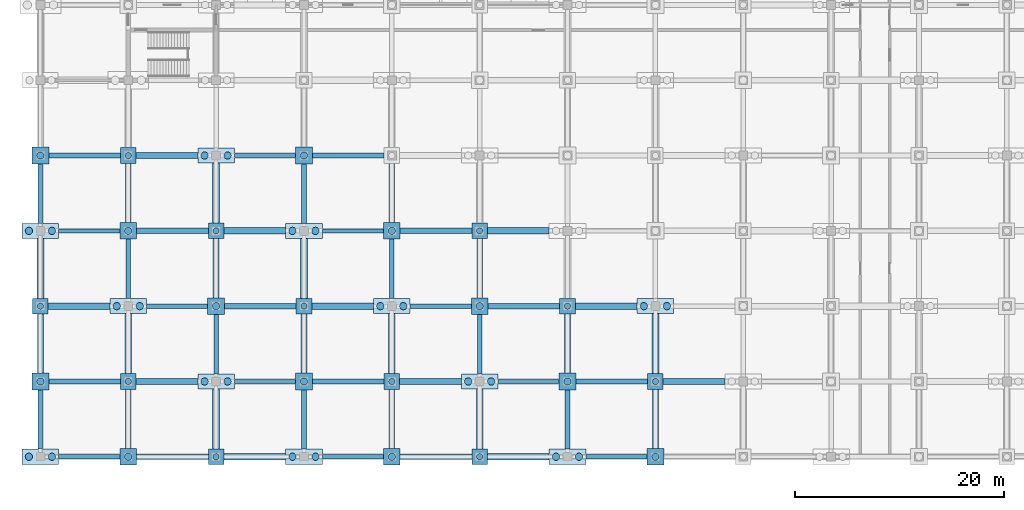
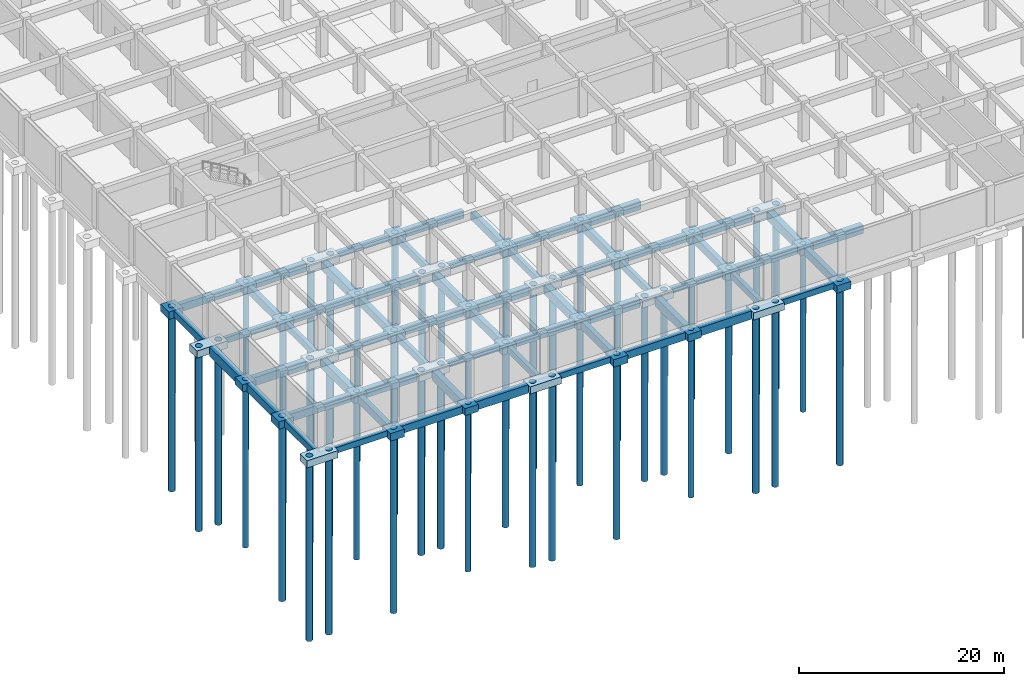
# One storey, part 1 of 85: 93 footings, 45 piles.
"""IFC4 building model written with IfcOpenShell, lengths in metres."""

from ifc_helpers import new_model, si_unit, direction, frame, origin, origin_2d, place, context, subcontext, project, spatial, rectangle, circle, extrude, material, material_profile, profile_set, type_object, element, save


model = new_model("IFC4")

# Units and contexts
model_context = context("Model", 3, precision=1e-05, world=origin(), true_north=direction((0.0, 1.0)))
body_context = subcontext(model_context, "Body", "Model", "MODEL_VIEW")
ifc_project = project(units=[si_unit("LENGTHUNIT", "METRE"), si_unit("AREAUNIT", "SQUARE_METRE"), si_unit("VOLUMEUNIT", "CUBIC_METRE"), si_unit("PLANEANGLEUNIT", "RADIAN"), si_unit("MASSUNIT", "GRAM", prefix="KILO")], contexts=[model_context])

# Site, building, storey
site_placement = place(None, origin())
site = spatial("IfcSite", under=ifc_project, at=site_placement, CompositionType="ELEMENT")
building_placement = place(site_placement, origin())
building = spatial("IfcBuilding", under=site, at=building_placement, Name="Chengyuan Square Courthouse", CompositionType="ELEMENT")
storey_placement = place(building_placement, frame((0.0, 0.0, -10.199951171875)))
storey = spatial("IfcBuildingStorey", under=building, at=storey_placement, Name="B02", CompositionType="ELEMENT", Elevation=-10.199951171875)

# Footings
ifc_material = material(Name="Concrete C40", Category="concrete")
ifc_material_profile_1 = material_profile(ifc_material, rectangle(XDim=0.39990234375, YDim=0.699951171875, at=origin_2d()), Name="GB-400x700")
ifc_profile_set_1 = profile_set([ifc_material_profile_1], Name="Concrete C40")
footing_type_1 = type_object("IfcFootingType", Name="GB-01", PredefinedType="FOOTING_BEAM", material=ifc_profile_set_1)
for number, where, z_axis, x_axis, name in (
    (1, (1.75, 0.0, -1.150146484375), (1.0, 0.0, 0.0), (0.0, 1.0, 0.0), "Ground Tie Beam GB-B02-0001"),
    (2, (26.949951171875, 0.0, -1.150146484375), (1.0, 0.0, 0.0), (0.0, 1.0, 0.0), "Ground Tie Beam GB-B02-0004"),
    (3, (52.14990234375, 0.0, -1.150146484375), (1.0, 0.0, 0.0), (0.0, 1.0, 0.0), "Ground Tie Beam GB-B02-0007"),
):
    element("IfcFooting", number, at=place(storey_placement, frame(where, z_axis=z_axis, x_axis=x_axis)), inside=storey, type_object=footing_type_1, Name=name, PredefinedType="FOOTING_BEAM", context=body_context, shape_type="SweptSolid", body=[
        extrude(rectangle(XDim=0.39990234375, YDim=0.699951171875, at=origin_2d()), origin(), (0.0, 0.0, 1.0), 5.85009765625),
    ])
footing_1_placement = place(storey_placement, frame((18.550048828125, 7.199951171875, -1.150146484375), z_axis=(1.0, 0.0, 0.0), x_axis=(0.0, 1.0, 0.0)))
element("IfcFooting", 4, at=footing_1_placement, inside=storey, type_object=footing_type_1, Name="Ground Tie Beam GB-B02-0023", PredefinedType="FOOTING_BEAM", context=body_context, shape_type="SweptSolid", body=[
    extrude(rectangle(XDim=0.39990234375, YDim=0.699951171875, at=origin_2d()), origin(), (0.0, 0.0, 1.0), 5.849853515625),
])
for number, where, z_axis, x_axis, name in (
    (5, (43.75, 7.199951171875, -1.150146484375), (1.0, 0.0, 0.0), (0.0, 1.0, 0.0), "Ground Tie Beam GB-B02-0026"),
    (6, (10.14990234375, 14.39990234375, -1.150146484375), (1.0, 0.0, 0.0), (0.0, 1.0, 0.0), "Ground Tie Beam GB-B02-0042"),
):
    element("IfcFooting", number, at=place(storey_placement, frame(where, z_axis=z_axis, x_axis=x_axis)), inside=storey, type_object=footing_type_1, Name=name, PredefinedType="FOOTING_BEAM", context=body_context, shape_type="SweptSolid", body=[
        extrude(rectangle(XDim=0.39990234375, YDim=0.699951171875, at=origin_2d()), origin(), (0.0, 0.0, 1.0), 5.85009765625),
    ])
footing_2_placement = place(storey_placement, frame((35.35009765625, 14.39990234375, -1.150146484375), z_axis=(1.0, 0.0, 0.0), x_axis=(0.0, 1.0, 0.0)))
element("IfcFooting", 7, at=footing_2_placement, inside=storey, type_object=footing_type_1, Name="Ground Tie Beam GB-B02-0045", PredefinedType="FOOTING_BEAM", context=body_context, shape_type="SweptSolid", body=[
    extrude(rectangle(XDim=0.39990234375, YDim=0.699951171875, at=origin_2d()), origin(), (0.0, 0.0, 1.0), 5.849853515625),
])
for number, where, z_axis, x_axis, name in (
    (8, (1.75, 21.60009765625, -1.150146484375), (1.0, 0.0, 0.0), (0.0, 1.0, 0.0), "Ground Tie Beam GB-B02-0061"),
    (9, (26.949951171875, 21.60009765625, -1.150146484375), (1.0, 0.0, 0.0), (0.0, 1.0, 0.0), "Ground Tie Beam GB-B02-0064"),
):
    element("IfcFooting", number, at=place(storey_placement, frame(where, z_axis=z_axis, x_axis=x_axis)), inside=storey, type_object=footing_type_1, Name=name, PredefinedType="FOOTING_BEAM", context=body_context, shape_type="SweptSolid", body=[
        extrude(rectangle(XDim=0.39990234375, YDim=0.699951171875, at=origin_2d()), origin(), (0.0, 0.0, 1.0), 5.85009765625),
    ])
footing_3_placement = place(storey_placement, frame((18.550048828125, 28.800048828125, -1.150146484375), z_axis=(1.0, 0.0, 0.0), x_axis=(0.0, 1.0, 0.0)))
element("IfcFooting", 10, at=footing_3_placement, inside=storey, type_object=footing_type_1, Name="Ground Tie Beam GB-B02-0083", PredefinedType="FOOTING_BEAM", context=body_context, shape_type="SweptSolid", body=[
    extrude(rectangle(XDim=0.39990234375, YDim=0.699951171875, at=origin_2d()), origin(), (0.0, 0.0, 1.0), 5.849853515625),
])
ifc_material_profile_2 = material_profile(ifc_material, rectangle(XDim=0.449951171875, YDim=0.800048828125, at=origin_2d()), Name="GB-450x800")
ifc_profile_set_2 = profile_set([ifc_material_profile_2], Name="Concrete C40")
footing_type_2 = type_object("IfcFootingType", Name="GB-02", PredefinedType="FOOTING_BEAM", material=ifc_profile_set_2)
footing_4_placement = place(storey_placement, frame((0.0, 0.72509765625, -1.199951171875), z_axis=(0.0, 1.0, 0.0), x_axis=(-1.0, 0.0, 0.0)))
element("IfcFooting", 11, at=footing_4_placement, inside=storey, type_object=footing_type_2, Name="Ground Tie Beam GB-B02-0347", PredefinedType="FOOTING_BEAM", context=body_context, shape_type="SweptSolid", body=[
    extrude(rectangle(XDim=0.449951171875, YDim=0.800048828125, at=origin_2d()), origin(), (0.0, 0.0, 1.0), 5.6748046875),
])
for number, where, z_axis, x_axis, name in (
    (12, (0.0, 22.324951171875, -1.199951171875), (0.0, 1.0, 0.0), (-1.0, 0.0, 0.0), "Ground Tie Beam GB-B02-0350"),
    (13, (8.39990234375, 15.125, -1.199951171875), (0.0, 1.0, 0.0), (-1.0, 0.0, 0.0), "Ground Tie Beam GB-B02-0365"),
    (14, (16.800048828125, 7.925048828125, -1.199951171875), (0.0, 1.0, 0.0), (-1.0, 0.0, 0.0), "Ground Tie Beam GB-B02-0380"),
):
    element("IfcFooting", number, at=place(storey_placement, frame(where, z_axis=z_axis, x_axis=x_axis)), inside=storey, type_object=footing_type_2, Name=name, PredefinedType="FOOTING_BEAM", context=body_context, shape_type="SweptSolid", body=[
        extrude(rectangle(XDim=0.449951171875, YDim=0.800048828125, at=origin_2d()), origin(), (0.0, 0.0, 1.0), 5.675048828125),
    ])
footing_5_placement = place(storey_placement, frame((25.199951171875, 0.72509765625, -1.199951171875), z_axis=(0.0, 1.0, 0.0), x_axis=(-1.0, 0.0, 0.0)))
element("IfcFooting", 15, at=footing_5_placement, inside=storey, type_object=footing_type_2, Name="Ground Tie Beam GB-B02-0395", PredefinedType="FOOTING_BEAM", context=body_context, shape_type="SweptSolid", body=[
    extrude(rectangle(XDim=0.449951171875, YDim=0.800048828125, at=origin_2d()), origin(), (0.0, 0.0, 1.0), 5.6748046875),
])
for number, where, z_axis, x_axis, name in (
    (16, (25.199951171875, 22.324951171875, -1.199951171875), (0.0, 1.0, 0.0), (-1.0, 0.0, 0.0), "Ground Tie Beam GB-B02-0398"),
    (17, (33.60009765625, 15.125, -1.199951171875), (0.0, 1.0, 0.0), (-1.0, 0.0, 0.0), "Ground Tie Beam GB-B02-0413"),
    (18, (42.0, 7.925048828125, -1.199951171875), (0.0, 1.0, 0.0), (-1.0, 0.0, 0.0), "Ground Tie Beam GB-B02-0428"),
):
    element("IfcFooting", number, at=place(storey_placement, frame(where, z_axis=z_axis, x_axis=x_axis)), inside=storey, type_object=footing_type_2, Name=name, PredefinedType="FOOTING_BEAM", context=body_context, shape_type="SweptSolid", body=[
        extrude(rectangle(XDim=0.449951171875, YDim=0.800048828125, at=origin_2d()), origin(), (0.0, 0.0, 1.0), 5.675048828125),
    ])
footing_6_placement = place(storey_placement, frame((50.39990234375, 0.72509765625, -1.199951171875), z_axis=(0.0, 1.0, 0.0), x_axis=(-1.0, 0.0, 0.0)))
element("IfcFooting", 19, at=footing_6_placement, inside=storey, type_object=footing_type_2, Name="Ground Tie Beam GB-B02-0443", PredefinedType="FOOTING_BEAM", context=body_context, shape_type="SweptSolid", body=[
    extrude(rectangle(XDim=0.449951171875, YDim=0.800048828125, at=origin_2d()), origin(), (0.0, 0.0, 1.0), 5.6748046875),
])
ifc_material_profile_3 = material_profile(ifc_material, rectangle(XDim=0.5, YDim=0.89990234375, at=origin_2d()), Name="GB-500x900")
ifc_profile_set_3 = profile_set([ifc_material_profile_3], Name="Concrete C40")
footing_type_3 = type_object("IfcFootingType", Name="GB-03", PredefinedType="FOOTING_BEAM", material=ifc_profile_set_3)
for number, where, z_axis, x_axis, name in (
    (20, (9.199951171875, 0.0, -1.25), (1.0, 0.0, 0.0), (0.0, 1.0, 0.0), "Ground Tie Beam GB-B02-0002"),
    (21, (34.39990234375, 0.0, -1.25), (1.0, 0.0, 0.0), (0.0, 1.0, 0.0), "Ground Tie Beam GB-B02-0005"),
):
    element("IfcFooting", number, at=place(storey_placement, frame(where, z_axis=z_axis, x_axis=x_axis)), inside=storey, type_object=footing_type_3, Name=name, PredefinedType="FOOTING_BEAM", context=body_context, shape_type="SweptSolid", body=[
        extrude(rectangle(XDim=0.5, YDim=0.89990234375, at=origin_2d()), origin(), (0.0, 0.0, 1.0), 6.85009765625),
    ])
footing_7_placement = place(storey_placement, frame((0.800048828125, 7.199951171875, -1.25), z_axis=(1.0, 0.0, 0.0), x_axis=(0.0, 1.0, 0.0)))
element("IfcFooting", 22, at=footing_7_placement, inside=storey, type_object=footing_type_3, Name="Ground Tie Beam GB-B02-0021", PredefinedType="FOOTING_BEAM", context=body_context, shape_type="SweptSolid", body=[
    extrude(rectangle(XDim=0.5, YDim=0.89990234375, at=origin_2d()), origin(), (0.0, 0.0, 1.0), 6.849853515625),
])
for number, where, z_axis, x_axis, name in (
    (23, (26.0, 7.199951171875, -1.25), (1.0, 0.0, 0.0), (0.0, 1.0, 0.0), "Ground Tie Beam GB-B02-0024"),
    (24, (51.199951171875, 7.199951171875, -1.25), (1.0, 0.0, 0.0), (0.0, 1.0, 0.0), "Ground Tie Beam GB-B02-0027"),
):
    element("IfcFooting", number, at=place(storey_placement, frame(where, z_axis=z_axis, x_axis=x_axis)), inside=storey, type_object=footing_type_3, Name=name, PredefinedType="FOOTING_BEAM", context=body_context, shape_type="SweptSolid", body=[
        extrude(rectangle(XDim=0.5, YDim=0.89990234375, at=origin_2d()), origin(), (0.0, 0.0, 1.0), 6.85009765625),
    ])
for number, where, z_axis, x_axis, name in (
    (25, (17.60009765625, 14.39990234375, -1.25), (1.0, 0.0, 0.0), (0.0, 1.0, 0.0), "Ground Tie Beam GB-B02-0043"),
    (26, (42.800048828125, 14.39990234375, -1.25), (1.0, 0.0, 0.0), (0.0, 1.0, 0.0), "Ground Tie Beam GB-B02-0046"),
):
    element("IfcFooting", number, at=place(storey_placement, frame(where, z_axis=z_axis, x_axis=x_axis)), inside=storey, type_object=footing_type_3, Name=name, PredefinedType="FOOTING_BEAM", context=body_context, shape_type="SweptSolid", body=[
        extrude(rectangle(XDim=0.5, YDim=0.89990234375, at=origin_2d()), origin(), (0.0, 0.0, 1.0), 6.849853515625),
    ])
for number, where, z_axis, x_axis, name in (
    (27, (9.199951171875, 21.60009765625, -1.25), (1.0, 0.0, 0.0), (0.0, 1.0, 0.0), "Ground Tie Beam GB-B02-0062"),
    (28, (34.39990234375, 21.60009765625, -1.25), (1.0, 0.0, 0.0), (0.0, 1.0, 0.0), "Ground Tie Beam GB-B02-0065"),
):
    element("IfcFooting", number, at=place(storey_placement, frame(where, z_axis=z_axis, x_axis=x_axis)), inside=storey, type_object=footing_type_3, Name=name, PredefinedType="FOOTING_BEAM", context=body_context, shape_type="SweptSolid", body=[
        extrude(rectangle(XDim=0.5, YDim=0.89990234375, at=origin_2d()), origin(), (0.0, 0.0, 1.0), 6.85009765625),
    ])
footing_8_placement = place(storey_placement, frame((0.800048828125, 28.800048828125, -1.25), z_axis=(1.0, 0.0, 0.0), x_axis=(0.0, 1.0, 0.0)))
element("IfcFooting", 29, at=footing_8_placement, inside=storey, type_object=footing_type_3, Name="Ground Tie Beam GB-B02-0081", PredefinedType="FOOTING_BEAM", context=body_context, shape_type="SweptSolid", body=[
    extrude(rectangle(XDim=0.5, YDim=0.89990234375, at=origin_2d()), origin(), (0.0, 0.0, 1.0), 6.849853515625),
])
footing_9_placement = place(storey_placement, frame((26.0, 28.800048828125, -1.25), z_axis=(1.0, 0.0, 0.0), x_axis=(0.0, 1.0, 0.0)))
element("IfcFooting", 30, at=footing_9_placement, inside=storey, type_object=footing_type_3, Name="Ground Tie Beam GB-B02-0084", PredefinedType="FOOTING_BEAM", context=body_context, shape_type="SweptSolid", body=[
    extrude(rectangle(XDim=0.5, YDim=0.89990234375, at=origin_2d()), origin(), (0.0, 0.0, 1.0), 6.85009765625),
])
ifc_material_profile_4 = material_profile(ifc_material, rectangle(XDim=0.550048828125, YDim=0.949951171875, at=origin_2d()), Name="GB-550x950")
ifc_profile_set_4 = profile_set([ifc_material_profile_4], Name="Concrete C40")
footing_type_4 = type_object("IfcFootingType", Name="GB-04", PredefinedType="FOOTING_BEAM", material=ifc_profile_set_4)
for number, where, z_axis, x_axis, name in (
    (31, (0.0, 8.0, -1.275146484375), (0.0, 1.0, 0.0), (-1.0, 0.0, 0.0), "Ground Tie Beam GB-B02-0348"),
    (32, (8.39990234375, 0.800048828125, -1.275146484375), (0.0, 1.0, 0.0), (-1.0, 0.0, 0.0), "Ground Tie Beam GB-B02-0363"),
):
    element("IfcFooting", number, at=place(storey_placement, frame(where, z_axis=z_axis, x_axis=x_axis)), inside=storey, type_object=footing_type_4, Name=name, PredefinedType="FOOTING_BEAM", context=body_context, shape_type="SweptSolid", body=[
        extrude(rectangle(XDim=0.550048828125, YDim=0.949951171875, at=origin_2d()), origin(), (0.0, 0.0, 1.0), 5.64990234375),
    ])
for number, where, z_axis, x_axis, name in (
    (33, (8.39990234375, 22.39990234375, -1.275146484375), (0.0, 1.0, 0.0), (-1.0, 0.0, 0.0), "Ground Tie Beam GB-B02-0366"),
    (34, (16.800048828125, 15.199951171875, -1.275146484375), (0.0, 1.0, 0.0), (-1.0, 0.0, 0.0), "Ground Tie Beam GB-B02-0381"),
):
    element("IfcFooting", number, at=place(storey_placement, frame(where, z_axis=z_axis, x_axis=x_axis)), inside=storey, type_object=footing_type_4, Name=name, PredefinedType="FOOTING_BEAM", context=body_context, shape_type="SweptSolid", body=[
        extrude(rectangle(XDim=0.550048828125, YDim=0.949951171875, at=origin_2d()), origin(), (0.0, 0.0, 1.0), 5.650146484375),
    ])
for number, where, z_axis, x_axis, name in (
    (35, (25.199951171875, 8.0, -1.275146484375), (0.0, 1.0, 0.0), (-1.0, 0.0, 0.0), "Ground Tie Beam GB-B02-0396"),
    (36, (33.60009765625, 0.800048828125, -1.275146484375), (0.0, 1.0, 0.0), (-1.0, 0.0, 0.0), "Ground Tie Beam GB-B02-0411"),
):
    element("IfcFooting", number, at=place(storey_placement, frame(where, z_axis=z_axis, x_axis=x_axis)), inside=storey, type_object=footing_type_4, Name=name, PredefinedType="FOOTING_BEAM", context=body_context, shape_type="SweptSolid", body=[
        extrude(rectangle(XDim=0.550048828125, YDim=0.949951171875, at=origin_2d()), origin(), (0.0, 0.0, 1.0), 5.64990234375),
    ])
for number, where, z_axis, x_axis, name in (
    (37, (33.60009765625, 22.39990234375, -1.275146484375), (0.0, 1.0, 0.0), (-1.0, 0.0, 0.0), "Ground Tie Beam GB-B02-0414"),
    (38, (42.0, 15.199951171875, -1.275146484375), (0.0, 1.0, 0.0), (-1.0, 0.0, 0.0), "Ground Tie Beam GB-B02-0429"),
):
    element("IfcFooting", number, at=place(storey_placement, frame(where, z_axis=z_axis, x_axis=x_axis)), inside=storey, type_object=footing_type_4, Name=name, PredefinedType="FOOTING_BEAM", context=body_context, shape_type="SweptSolid", body=[
        extrude(rectangle(XDim=0.550048828125, YDim=0.949951171875, at=origin_2d()), origin(), (0.0, 0.0, 1.0), 5.650146484375),
    ])
for number, where, z_axis, x_axis, name in (
    (39, (50.39990234375, 8.0, -1.275146484375), (0.0, 1.0, 0.0), (-1.0, 0.0, 0.0), "Ground Tie Beam GB-B02-0444"),
    (40, (58.800048828125, 0.800048828125, -1.275146484375), (0.0, 1.0, 0.0), (-1.0, 0.0, 0.0), "Ground Tie Beam GB-B02-0459"),
):
    element("IfcFooting", number, at=place(storey_placement, frame(where, z_axis=z_axis, x_axis=x_axis)), inside=storey, type_object=footing_type_4, Name=name, PredefinedType="FOOTING_BEAM", context=body_context, shape_type="SweptSolid", body=[
        extrude(rectangle(XDim=0.550048828125, YDim=0.949951171875, at=origin_2d()), origin(), (0.0, 0.0, 1.0), 5.64990234375),
    ])
ifc_material_profile_5 = material_profile(ifc_material, rectangle(XDim=0.60009765625, YDim=1.0, at=origin_2d()), Name="GB-600x1000")
ifc_profile_set_5 = profile_set([ifc_material_profile_5], Name="Concrete C40")
footing_type_5 = type_object("IfcFootingType", Name="GB-05", PredefinedType="FOOTING_BEAM", material=ifc_profile_set_5)
for number, where, z_axis, x_axis, name in (
    (41, (17.550048828125, 0.0, -1.300048828125), (1.0, 0.0, 0.0), (0.0, 1.0, 0.0), "Ground Tie Beam GB-B02-0003"),
    (42, (42.75, 0.0, -1.300048828125), (1.0, 0.0, 0.0), (0.0, 1.0, 0.0), "Ground Tie Beam GB-B02-0006"),
):
    element("IfcFooting", number, at=place(storey_placement, frame(where, z_axis=z_axis, x_axis=x_axis)), inside=storey, type_object=footing_type_5, Name=name, PredefinedType="FOOTING_BEAM", context=body_context, shape_type="SweptSolid", body=[
        extrude(rectangle(XDim=0.60009765625, YDim=1.0, at=origin_2d()), origin(), (0.0, 0.0, 1.0), 5.89990234375),
    ])
footing_10_placement = place(storey_placement, frame((9.14990234375, 7.199951171875, -1.300048828125), z_axis=(1.0, 0.0, 0.0), x_axis=(0.0, 1.0, 0.0)))
element("IfcFooting", 43, at=footing_10_placement, inside=storey, type_object=footing_type_5, Name="Ground Tie Beam GB-B02-0022", PredefinedType="FOOTING_BEAM", context=body_context, shape_type="SweptSolid", body=[
    extrude(rectangle(XDim=0.60009765625, YDim=1.0, at=origin_2d()), origin(), (0.0, 0.0, 1.0), 5.900146484375),
])
for number, where, z_axis, x_axis, name in (
    (44, (34.35009765625, 7.199951171875, -1.300048828125), (1.0, 0.0, 0.0), (0.0, 1.0, 0.0), "Ground Tie Beam GB-B02-0025"),
    (45, (59.550048828125, 7.199951171875, -1.300048828125), (1.0, 0.0, 0.0), (0.0, 1.0, 0.0), "Ground Tie Beam GB-B02-0028"),
    (46, (0.75, 14.39990234375, -1.300048828125), (1.0, 0.0, 0.0), (0.0, 1.0, 0.0), "Ground Tie Beam GB-B02-0041"),
):
    element("IfcFooting", number, at=place(storey_placement, frame(where, z_axis=z_axis, x_axis=x_axis)), inside=storey, type_object=footing_type_5, Name=name, PredefinedType="FOOTING_BEAM", context=body_context, shape_type="SweptSolid", body=[
        extrude(rectangle(XDim=0.60009765625, YDim=1.0, at=origin_2d()), origin(), (0.0, 0.0, 1.0), 5.89990234375),
    ])
for number, where, z_axis, x_axis, name in (
    (47, (25.949951171875, 14.39990234375, -1.300048828125), (1.0, 0.0, 0.0), (0.0, 1.0, 0.0), "Ground Tie Beam GB-B02-0044"),
    (48, (51.14990234375, 14.39990234375, -1.300048828125), (1.0, 0.0, 0.0), (0.0, 1.0, 0.0), "Ground Tie Beam GB-B02-0047"),
):
    element("IfcFooting", number, at=place(storey_placement, frame(where, z_axis=z_axis, x_axis=x_axis)), inside=storey, type_object=footing_type_5, Name=name, PredefinedType="FOOTING_BEAM", context=body_context, shape_type="SweptSolid", body=[
        extrude(rectangle(XDim=0.60009765625, YDim=1.0, at=origin_2d()), origin(), (0.0, 0.0, 1.0), 5.900146484375),
    ])
for number, where, z_axis, x_axis, name in (
    (49, (17.550048828125, 21.60009765625, -1.300048828125), (1.0, 0.0, 0.0), (0.0, 1.0, 0.0), "Ground Tie Beam GB-B02-0063"),
    (50, (42.75, 21.60009765625, -1.300048828125), (1.0, 0.0, 0.0), (0.0, 1.0, 0.0), "Ground Tie Beam GB-B02-0066"),
):
    element("IfcFooting", number, at=place(storey_placement, frame(where, z_axis=z_axis, x_axis=x_axis)), inside=storey, type_object=footing_type_5, Name=name, PredefinedType="FOOTING_BEAM", context=body_context, shape_type="SweptSolid", body=[
        extrude(rectangle(XDim=0.60009765625, YDim=1.0, at=origin_2d()), origin(), (0.0, 0.0, 1.0), 5.89990234375),
    ])
footing_11_placement = place(storey_placement, frame((9.14990234375, 28.800048828125, -1.300048828125), z_axis=(1.0, 0.0, 0.0), x_axis=(0.0, 1.0, 0.0)))
element("IfcFooting", 51, at=footing_11_placement, inside=storey, type_object=footing_type_5, Name="Ground Tie Beam GB-B02-0082", PredefinedType="FOOTING_BEAM", context=body_context, shape_type="SweptSolid", body=[
    extrude(rectangle(XDim=0.60009765625, YDim=1.0, at=origin_2d()), origin(), (0.0, 0.0, 1.0), 5.900146484375),
])
ifc_material_profile_6 = material_profile(ifc_material, rectangle(XDim=0.64990234375, YDim=1.10009765625, at=origin_2d()), Name="GB-650x1100")
ifc_profile_set_6 = profile_set([ifc_material_profile_6], Name="Concrete C40")
footing_type_6 = type_object("IfcFootingType", Name="GB-06", PredefinedType="FOOTING_BEAM", material=ifc_profile_set_6)
for number, where, z_axis, x_axis, name in (
    (52, (0.0, 15.14990234375, -1.35009765625), (0.0, 1.0, 0.0), (-1.0, 0.0, 0.0), "Ground Tie Beam GB-B02-0349"),
    (53, (8.39990234375, 7.949951171875, -1.35009765625), (0.0, 1.0, 0.0), (-1.0, 0.0, 0.0), "Ground Tie Beam GB-B02-0364"),
    (54, (16.800048828125, 0.75, -1.35009765625), (0.0, 1.0, 0.0), (-1.0, 0.0, 0.0), "Ground Tie Beam GB-B02-0379"),
):
    element("IfcFooting", number, at=place(storey_placement, frame(where, z_axis=z_axis, x_axis=x_axis)), inside=storey, type_object=footing_type_6, Name=name, PredefinedType="FOOTING_BEAM", context=body_context, shape_type="SweptSolid", body=[
        extrude(rectangle(XDim=0.64990234375, YDim=1.10009765625, at=origin_2d()), origin(), (0.0, 0.0, 1.0), 5.72509765625),
    ])
footing_12_placement = place(storey_placement, frame((16.800048828125, 22.35009765625, -1.35009765625), z_axis=(0.0, 1.0, 0.0), x_axis=(-1.0, 0.0, 0.0)))
element("IfcFooting", 55, at=footing_12_placement, inside=storey, type_object=footing_type_6, Name="Ground Tie Beam GB-B02-0382", PredefinedType="FOOTING_BEAM", context=body_context, shape_type="SweptSolid", body=[
    extrude(rectangle(XDim=0.64990234375, YDim=1.10009765625, at=origin_2d()), origin(), (0.0, 0.0, 1.0), 5.724853515625),
])
for number, where, z_axis, x_axis, name in (
    (56, (25.199951171875, 15.14990234375, -1.35009765625), (0.0, 1.0, 0.0), (-1.0, 0.0, 0.0), "Ground Tie Beam GB-B02-0397"),
    (57, (33.60009765625, 7.949951171875, -1.35009765625), (0.0, 1.0, 0.0), (-1.0, 0.0, 0.0), "Ground Tie Beam GB-B02-0412"),
    (58, (42.0, 0.75, -1.35009765625), (0.0, 1.0, 0.0), (-1.0, 0.0, 0.0), "Ground Tie Beam GB-B02-0427"),
    (59, (58.800048828125, 7.949951171875, -1.35009765625), (0.0, 1.0, 0.0), (-1.0, 0.0, 0.0), "Ground Tie Beam GB-B02-0460"),
):
    element("IfcFooting", number, at=place(storey_placement, frame(where, z_axis=z_axis, x_axis=x_axis)), inside=storey, type_object=footing_type_6, Name=name, PredefinedType="FOOTING_BEAM", context=body_context, shape_type="SweptSolid", body=[
        extrude(rectangle(XDim=0.64990234375, YDim=1.10009765625, at=origin_2d()), origin(), (0.0, 0.0, 1.0), 5.72509765625),
    ])
footing_type_7 = type_object("IfcFootingType", Name="PC-19", PredefinedType="PILE_CAP", material=ifc_material)
for number, where, z_axis, x_axis, name in (
    (60, (0.0, 0.0, -1.650146484375), (0.0, 0.0, 1.0), (1.0, 0.0, 0.0), "Pile Cap PC-B02-001"),
    (61, (0.0, 21.60009765625, -1.650146484375), (0.0, 0.0, 1.0), (1.0, 0.0, 0.0), "Pile Cap PC-B02-004"),
    (62, (8.39990234375, 14.39990234375, -1.650146484375), (0.0, 0.0, 1.0), (1.0, 0.0, 0.0), "Pile Cap PC-B02-020"),
    (63, (16.800048828125, 7.199951171875, -1.650146484375), (0.0, 0.0, 1.0), (1.0, 0.0, 0.0), "Pile Cap PC-B02-036"),
    (64, (16.800048828125, 28.800048828125, -1.650146484375), (0.0, 0.0, 1.0), (1.0, 0.0, 0.0), "Pile Cap PC-B02-039"),
    (65, (25.199951171875, 0.0, -1.650146484375), (0.0, 0.0, 1.0), (1.0, 0.0, 0.0), "Pile Cap PC-B02-052"),
    (66, (25.199951171875, 21.60009765625, -1.650146484375), (0.0, 0.0, 1.0), (1.0, 0.0, 0.0), "Pile Cap PC-B02-055"),
    (67, (33.60009765625, 14.39990234375, -1.650146484375), (0.0, 0.0, 1.0), (1.0, 0.0, 0.0), "Pile Cap PC-B02-071"),
    (68, (42.0, 7.199951171875, -1.650146484375), (0.0, 0.0, 1.0), (1.0, 0.0, 0.0), "Pile Cap PC-B02-087"),
    (69, (50.39990234375, 0.0, -1.650146484375), (0.0, 0.0, 1.0), (1.0, 0.0, 0.0), "Pile Cap PC-B02-103"),
    (70, (58.800048828125, 14.39990234375, -1.650146484375), (0.0, 0.0, 1.0), (1.0, 0.0, 0.0), "Pile Cap PC-B02-122"),
):
    element("IfcFooting", number, at=place(storey_placement, frame(where, z_axis=z_axis, x_axis=x_axis)), inside=storey, type_object=footing_type_7, Name=name, PredefinedType="PILE_CAP", context=body_context, shape_type="SweptSolid", body=[
        extrude(rectangle(XDim=3.5, YDim=1.449951171875, at=origin_2d()), origin(), (0.0, 0.0, 1.0), 0.85009765625),
    ])
footing_type_8 = type_object("IfcFootingType", Name="PC-20", PredefinedType="PILE_CAP", material=ifc_material)
for number, where, z_axis, x_axis, name in (
    (71, (0.0, 7.199951171875, -1.699951171875), (0.0, 0.0, 1.0), (1.0, 0.0, 0.0), "Pile Cap PC-B02-002"),
    (72, (0.0, 28.800048828125, -1.699951171875), (0.0, 0.0, 1.0), (1.0, 0.0, 0.0), "Pile Cap PC-B02-005"),
    (73, (8.39990234375, 0.0, -1.699951171875), (0.0, 0.0, 1.0), (1.0, 0.0, 0.0), "Pile Cap PC-B02-018"),
    (74, (8.39990234375, 21.60009765625, -1.699951171875), (0.0, 0.0, 1.0), (1.0, 0.0, 0.0), "Pile Cap PC-B02-021"),
    (75, (16.800048828125, 14.39990234375, -1.699951171875), (0.0, 0.0, 1.0), (1.0, 0.0, 0.0), "Pile Cap PC-B02-037"),
    (76, (25.199951171875, 7.199951171875, -1.699951171875), (0.0, 0.0, 1.0), (1.0, 0.0, 0.0), "Pile Cap PC-B02-053"),
    (77, (25.199951171875, 28.800048828125, -1.699951171875), (0.0, 0.0, 1.0), (1.0, 0.0, 0.0), "Pile Cap PC-B02-056"),
    (78, (33.60009765625, 0.0, -1.699951171875), (0.0, 0.0, 1.0), (1.0, 0.0, 0.0), "Pile Cap PC-B02-069"),
    (79, (33.60009765625, 21.60009765625, -1.699951171875), (0.0, 0.0, 1.0), (1.0, 0.0, 0.0), "Pile Cap PC-B02-072"),
    (80, (42.0, 14.39990234375, -1.699951171875), (0.0, 0.0, 1.0), (1.0, 0.0, 0.0), "Pile Cap PC-B02-088"),
    (81, (50.39990234375, 7.199951171875, -1.699951171875), (0.0, 0.0, 1.0), (1.0, 0.0, 0.0), "Pile Cap PC-B02-104"),
    (82, (58.800048828125, 0.0, -1.699951171875), (0.0, 0.0, 1.0), (1.0, 0.0, 0.0), "Pile Cap PC-B02-120"),
):
    element("IfcFooting", number, at=place(storey_placement, frame(where, z_axis=z_axis, x_axis=x_axis)), inside=storey, type_object=footing_type_8, Name=name, PredefinedType="PILE_CAP", context=body_context, shape_type="SweptSolid", body=[
        extrude(rectangle(XDim=1.60009765625, YDim=1.60009765625, at=origin_2d()), origin(), (0.0, 0.0, 1.0), 0.89990234375),
    ])
footing_type_9 = type_object("IfcFootingType", Name="PC-21", PredefinedType="PILE_CAP", material=ifc_material)
for number, where, z_axis, x_axis, name in (
    (83, (0.0, 14.39990234375, -1.650146484375), (0.0, 0.0, 1.0), (1.0, 0.0, 0.0), "Pile Cap PC-B02-003"),
    (84, (8.39990234375, 7.199951171875, -1.650146484375), (0.0, 0.0, 1.0), (1.0, 0.0, 0.0), "Pile Cap PC-B02-019"),
    (85, (8.39990234375, 28.800048828125, -1.650146484375), (0.0, 0.0, 1.0), (1.0, 0.0, 0.0), "Pile Cap PC-B02-022"),
    (86, (16.800048828125, 0.0, -1.650146484375), (0.0, 0.0, 1.0), (1.0, 0.0, 0.0), "Pile Cap PC-B02-035"),
    (87, (16.800048828125, 21.60009765625, -1.650146484375), (0.0, 0.0, 1.0), (1.0, 0.0, 0.0), "Pile Cap PC-B02-038"),
    (88, (25.199951171875, 14.39990234375, -1.650146484375), (0.0, 0.0, 1.0), (1.0, 0.0, 0.0), "Pile Cap PC-B02-054"),
    (89, (33.60009765625, 7.199951171875, -1.650146484375), (0.0, 0.0, 1.0), (1.0, 0.0, 0.0), "Pile Cap PC-B02-070"),
    (90, (42.0, 0.0, -1.650146484375), (0.0, 0.0, 1.0), (1.0, 0.0, 0.0), "Pile Cap PC-B02-086"),
    (91, (42.0, 21.60009765625, -1.650146484375), (0.0, 0.0, 1.0), (1.0, 0.0, 0.0), "Pile Cap PC-B02-089"),
    (92, (50.39990234375, 14.39990234375, -1.650146484375), (0.0, 0.0, 1.0), (1.0, 0.0, 0.0), "Pile Cap PC-B02-105"),
    (93, (58.800048828125, 7.199951171875, -1.650146484375), (0.0, 0.0, 1.0), (1.0, 0.0, 0.0), "Pile Cap PC-B02-121"),
):
    element("IfcFooting", number, at=place(storey_placement, frame(where, z_axis=z_axis, x_axis=x_axis)), inside=storey, type_object=footing_type_9, Name=name, PredefinedType="PILE_CAP", context=body_context, shape_type="SweptSolid", body=[
        extrude(rectangle(XDim=1.5, YDim=1.5, at=origin_2d()), origin(), (0.0, 0.0, 1.0), 0.85009765625),
    ])

# Piles
ifc_material_profile_7 = material_profile(ifc_material, circle(Radius=0.300048828125, at=origin_2d()), Name="BORED PILE D600")
ifc_profile_set_7 = profile_set([ifc_material_profile_7], Name="Concrete C40")
pile_type_1 = type_object("IfcPileType", Name="PL-01", PredefinedType="BORED", material=ifc_profile_set_7)
for number, where, z_axis, x_axis, name in (
    (94, (0.0, 14.39990234375, -0.800048828125), (0.0, 0.0, -1.0), (1.0, 0.0, 0.0), "Bored Pile PL-B02-0004"),
    (95, (8.39990234375, 7.199951171875, -0.800048828125), (0.0, 0.0, -1.0), (1.0, 0.0, 0.0), "Bored Pile PL-B02-0032"),
    (96, (8.39990234375, 28.800048828125, -0.800048828125), (0.0, 0.0, -1.0), (1.0, 0.0, 0.0), "Bored Pile PL-B02-0036"),
    (97, (16.800048828125, 0.0, -0.800048828125), (0.0, 0.0, -1.0), (1.0, 0.0, 0.0), "Bored Pile PL-B02-0056"),
    (98, (16.800048828125, 21.60009765625, -0.800048828125), (0.0, 0.0, -1.0), (1.0, 0.0, 0.0), "Bored Pile PL-B02-0060"),
    (99, (25.199951171875, 14.39990234375, -0.800048828125), (0.0, 0.0, -1.0), (1.0, 0.0, 0.0), "Bored Pile PL-B02-0090"),
    (100, (33.60009765625, 7.199951171875, -0.800048828125), (0.0, 0.0, -1.0), (1.0, 0.0, 0.0), "Bored Pile PL-B02-0116"),
    (101, (42.0, 0.0, -0.800048828125), (0.0, 0.0, -1.0), (1.0, 0.0, 0.0), "Bored Pile PL-B02-0142"),
    (102, (42.0, 21.60009765625, -0.800048828125), (0.0, 0.0, -1.0), (1.0, 0.0, 0.0), "Bored Pile PL-B02-0146"),
    (103, (50.39990234375, 14.39990234375, -0.800048828125), (0.0, 0.0, -1.0), (1.0, 0.0, 0.0), "Bored Pile PL-B02-0180"),
    (104, (58.800048828125, 7.199951171875, -0.800048828125), (0.0, 0.0, -1.0), (1.0, 0.0, 0.0), "Bored Pile PL-B02-0217"),
):
    element("IfcPile", number, at=place(storey_placement, frame(where, z_axis=z_axis, x_axis=x_axis)), inside=storey, type_object=pile_type_1, Name=name, PredefinedType="BORED", context=body_context, shape_type="SweptSolid", body=[
        extrude(circle(Radius=0.300048828125, at=origin_2d()), origin(), (0.0, 0.0, 1.0), 20.0),
    ])
ifc_material_profile_8 = material_profile(ifc_material, circle(Radius=0.35009765625, at=origin_2d()), Name="BORED PILE D700")
ifc_profile_set_8 = profile_set([ifc_material_profile_8], Name="Concrete C40")
pile_type_2 = type_object("IfcPileType", Name="PL-02", PredefinedType="BORED", material=ifc_profile_set_8)
for number, where, z_axis, x_axis, name in (
    (105, (-1.10009765625, 0.0, -0.800048828125), (0.0, 0.0, -1.0), (1.0, 0.0, 0.0), "Bored Pile PL-B02-0001"),
    (106, (1.10009765625, 0.0, -0.800048828125), (0.0, 0.0, -1.0), (1.0, 0.0, 0.0), "Bored Pile PL-B02-0002"),
    (107, (0.0, 7.199951171875, -0.800048828125), (0.0, 0.0, -1.0), (1.0, 0.0, 0.0), "Bored Pile PL-B02-0003"),
    (108, (-1.10009765625, 21.60009765625, -0.800048828125), (0.0, 0.0, -1.0), (1.0, 0.0, 0.0), "Bored Pile PL-B02-0005"),
    (109, (1.10009765625, 21.60009765625, -0.800048828125), (0.0, 0.0, -1.0), (1.0, 0.0, 0.0), "Bored Pile PL-B02-0006"),
    (110, (0.0, 28.800048828125, -0.800048828125), (0.0, 0.0, -1.0), (1.0, 0.0, 0.0), "Bored Pile PL-B02-0007"),
    (111, (8.39990234375, 0.0, -0.800048828125), (0.0, 0.0, -1.0), (1.0, 0.0, 0.0), "Bored Pile PL-B02-0031"),
    (112, (7.300048828125, 14.39990234375, -0.800048828125), (0.0, 0.0, -1.0), (1.0, 0.0, 0.0), "Bored Pile PL-B02-0033"),
    (113, (9.5, 14.39990234375, -0.800048828125), (0.0, 0.0, -1.0), (1.0, 0.0, 0.0), "Bored Pile PL-B02-0034"),
    (114, (8.39990234375, 21.60009765625, -0.800048828125), (0.0, 0.0, -1.0), (1.0, 0.0, 0.0), "Bored Pile PL-B02-0035"),
    (115, (15.699951171875, 7.199951171875, -0.800048828125), (0.0, 0.0, -1.0), (1.0, 0.0, 0.0), "Bored Pile PL-B02-0057"),
    (116, (17.89990234375, 7.199951171875, -0.800048828125), (0.0, 0.0, -1.0), (1.0, 0.0, 0.0), "Bored Pile PL-B02-0058"),
    (117, (16.800048828125, 14.39990234375, -0.800048828125), (0.0, 0.0, -1.0), (1.0, 0.0, 0.0), "Bored Pile PL-B02-0059"),
    (118, (15.699951171875, 28.800048828125, -0.800048828125), (0.0, 0.0, -1.0), (1.0, 0.0, 0.0), "Bored Pile PL-B02-0061"),
    (119, (17.89990234375, 28.800048828125, -0.800048828125), (0.0, 0.0, -1.0), (1.0, 0.0, 0.0), "Bored Pile PL-B02-0062"),
    (120, (24.10009765625, 0.0, -0.800048828125), (0.0, 0.0, -1.0), (1.0, 0.0, 0.0), "Bored Pile PL-B02-0087"),
    (121, (26.300048828125, 0.0, -0.800048828125), (0.0, 0.0, -1.0), (1.0, 0.0, 0.0), "Bored Pile PL-B02-0088"),
    (122, (25.199951171875, 7.199951171875, -0.800048828125), (0.0, 0.0, -1.0), (1.0, 0.0, 0.0), "Bored Pile PL-B02-0089"),
    (123, (24.10009765625, 21.60009765625, -0.800048828125), (0.0, 0.0, -1.0), (1.0, 0.0, 0.0), "Bored Pile PL-B02-0091"),
    (124, (26.300048828125, 21.60009765625, -0.800048828125), (0.0, 0.0, -1.0), (1.0, 0.0, 0.0), "Bored Pile PL-B02-0092"),
    (125, (25.199951171875, 28.800048828125, -0.800048828125), (0.0, 0.0, -1.0), (1.0, 0.0, 0.0), "Bored Pile PL-B02-0093"),
    (126, (33.60009765625, 0.0, -0.800048828125), (0.0, 0.0, -1.0), (1.0, 0.0, 0.0), "Bored Pile PL-B02-0115"),
    (127, (32.5, 14.39990234375, -0.800048828125), (0.0, 0.0, -1.0), (1.0, 0.0, 0.0), "Bored Pile PL-B02-0117"),
    (128, (34.699951171875, 14.39990234375, -0.800048828125), (0.0, 0.0, -1.0), (1.0, 0.0, 0.0), "Bored Pile PL-B02-0118"),
    (129, (33.60009765625, 21.60009765625, -0.800048828125), (0.0, 0.0, -1.0), (1.0, 0.0, 0.0), "Bored Pile PL-B02-0119"),
    (130, (40.89990234375, 7.199951171875, -0.800048828125), (0.0, 0.0, -1.0), (1.0, 0.0, 0.0), "Bored Pile PL-B02-0143"),
    (131, (43.10009765625, 7.199951171875, -0.800048828125), (0.0, 0.0, -1.0), (1.0, 0.0, 0.0), "Bored Pile PL-B02-0144"),
    (132, (42.0, 14.39990234375, -0.800048828125), (0.0, 0.0, -1.0), (1.0, 0.0, 0.0), "Bored Pile PL-B02-0145"),
    (133, (49.300048828125, 0.0, -0.800048828125), (0.0, 0.0, -1.0), (1.0, 0.0, 0.0), "Bored Pile PL-B02-0177"),
    (134, (51.5, 0.0, -0.800048828125), (0.0, 0.0, -1.0), (1.0, 0.0, 0.0), "Bored Pile PL-B02-0178"),
    (135, (50.39990234375, 7.199951171875, -0.800048828125), (0.0, 0.0, -1.0), (1.0, 0.0, 0.0), "Bored Pile PL-B02-0179"),
    (136, (58.800048828125, 0.0, -0.800048828125), (0.0, 0.0, -1.0), (1.0, 0.0, 0.0), "Bored Pile PL-B02-0216"),
    (137, (57.699951171875, 14.39990234375, -0.800048828125), (0.0, 0.0, -1.0), (1.0, 0.0, 0.0), "Bored Pile PL-B02-0218"),
    (138, (59.89990234375, 14.39990234375, -0.800048828125), (0.0, 0.0, -1.0), (1.0, 0.0, 0.0), "Bored Pile PL-B02-0219"),
):
    element("IfcPile", number, at=place(storey_placement, frame(where, z_axis=z_axis, x_axis=x_axis)), inside=storey, type_object=pile_type_2, Name=name, PredefinedType="BORED", context=body_context, shape_type="SweptSolid", body=[
        extrude(circle(Radius=0.35009765625, at=origin_2d()), origin(), (0.0, 0.0, 1.0), 22.0),
    ])

save(model, "model.ifc")
